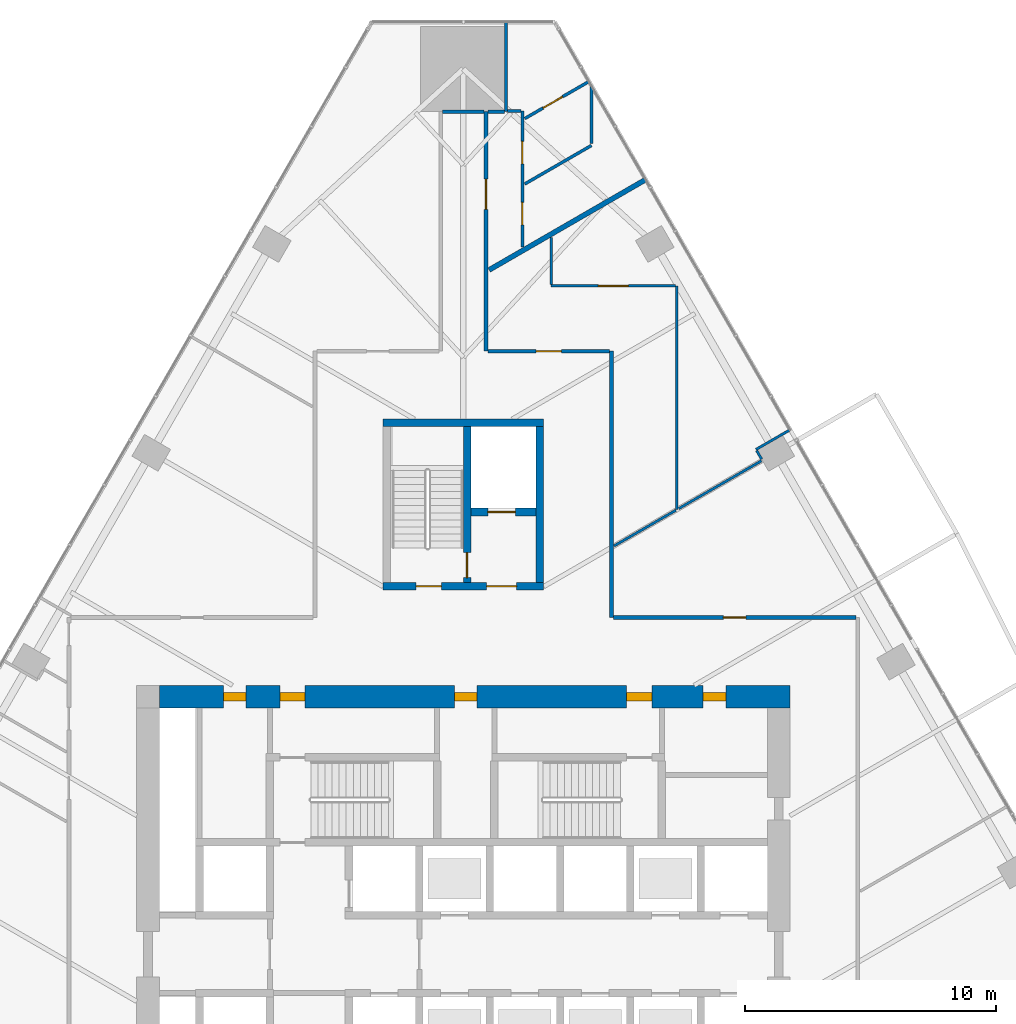
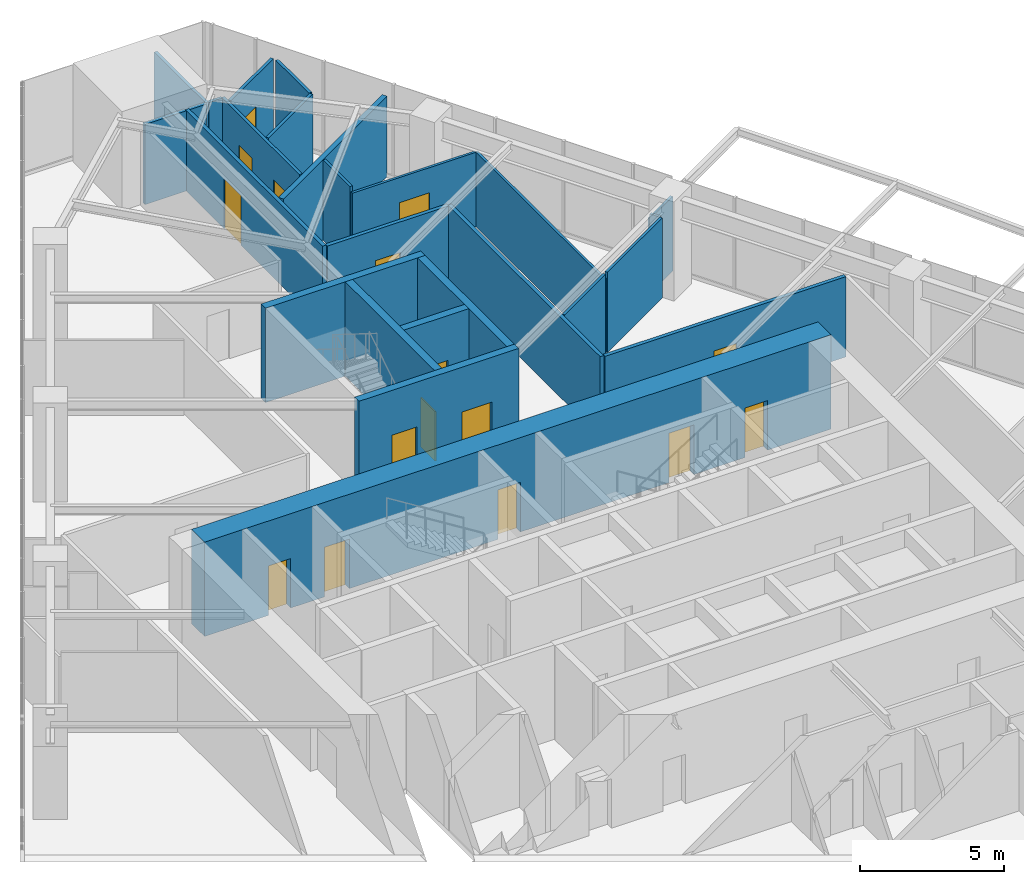
# One storey, part 26 of 29: 26 walls, 16 doors, 16 openings.
"""IFC4 building model written with IfcOpenShell, lengths in metres."""

from ifc_helpers import new_model, si_unit, direction, frame, frame_2d, origin, place, context, subcontext, project, spatial, rectangle, extrude, material, layer, layer_set, type_object, element, fill, save


model = new_model("IFC4")

# Units and contexts
model_context = context("Model", 3, precision=1e-05, world=origin(), true_north=direction((0.0, 1.0)))
body_context = subcontext(model_context, "Body", "Model", "MODEL_VIEW")
ifc_project = project(units=[si_unit("LENGTHUNIT", "METRE"), si_unit("AREAUNIT", "SQUARE_METRE"), si_unit("VOLUMEUNIT", "CUBIC_METRE"), si_unit("PLANEANGLEUNIT", "RADIAN"), si_unit("MASSUNIT", "GRAM", prefix="KILO")], contexts=[model_context])

# Site, building, storey
site_placement = place(None, origin())
site = spatial("IfcSite", under=ifc_project, at=site_placement, CompositionType="ELEMENT")
building_placement = place(site_placement, origin())
building = spatial("IfcBuilding", under=site, at=building_placement, Name="Firuza Gate Tower and Library", CompositionType="ELEMENT")
storey_placement = place(building_placement, frame((0.0, 0.0, 44.199951171875)))
storey = spatial("IfcBuildingStorey", under=building, at=storey_placement, Name="L09", CompositionType="ELEMENT", Elevation=44.199951171875)

# Wall, openings, doors
ifc_material_1 = material(Name="Concrete C80/95", Category="concrete")
ifc_layer_1 = layer(ifc_material_1, 0.300048828125)
ifc_layer_set_1 = layer_set([ifc_layer_1], Name="Core wall 300 C80/95")
wall_type_1 = type_object("IfcWallType", Name="Core wall 300 C80/95", PredefinedType="SHEAR", material=ifc_layer_set_1)
wall_1_placement = place(storey_placement, frame((71.800048828125, 87.949951171875, 0.0), z_axis=(0.0, 0.0, 1.0), x_axis=(1.0, 0.0, 0.0)))
wall_1 = element("IfcWall", 1, at=wall_1_placement, inside=storey, type_object=wall_type_1, Name="Core wall L09 34", PredefinedType="SHEAR", context=body_context, shape_type="SweptSolid", body=[
    extrude(rectangle(XDim=6.39990234375, YDim=0.300048828125, at=frame_2d((3.199951171875, 0.0))), origin(), (0.0, 0.0, 1.0), 4.0),
])
opening_1_placement = place(wall_1_placement, frame((1.324951171875, 0.0, 0.0)))
opening_1 = element("IfcOpeningElement", 2, at=opening_1_placement, cuts=wall_1, Name="Opening L09-K17", PredefinedType="OPENING", context=body_context, shape_type="SweptSolid", body=[
    extrude(rectangle(XDim=1.0, YDim=2.10009765625, at=frame_2d((0.5, 1.050048828125))), frame((0.0, 0.16015625, 0.0), z_axis=(0.0, -1.0, 0.0), x_axis=(1.0, 0.0, 0.0)), (0.0, 0.0, 1.0), 0.320068359375),
])
opening_2_placement = place(wall_1_placement, frame((4.125, 0.0, 0.0)))
opening_2 = element("IfcOpeningElement", 3, at=opening_2_placement, cuts=wall_1, Name="Opening L09-K19", PredefinedType="OPENING", context=body_context, shape_type="SweptSolid", body=[
    extrude(rectangle(XDim=1.199951171875, YDim=2.10009765625, at=frame_2d((0.60009765625, 1.050048828125))), frame((0.0, 0.16015625, 0.0), z_axis=(0.0, -1.0, 0.0), x_axis=(1.0, 0.0, 0.0)), (0.0, 0.0, 1.0), 0.320068359375),
])
ifc_material_2 = material(Name="Steel", Category="steel")
door_type_1 = type_object("IfcDoorType", Name="Fire door 1000x2100 FD90", OperationType="NOTDEFINED", PredefinedType="DOOR", material=ifc_material_2)
door_1_placement = place(opening_1_placement, origin())
door_1 = element("IfcDoor", 4, at=door_1_placement, inside=storey, type_object=door_type_1, Name="Door L09-K17", OperationType="SINGLE_SWING_RIGHT", OverallHeight=2.10009765625, OverallWidth=1.0, PredefinedType="DOOR", context=body_context, shape_type="SweptSolid", body=[
    extrude(rectangle(XDim=1.0, YDim=2.10009765625, at=frame_2d((0.5, 1.050048828125))), frame((0.0, 0.02490234375, 0.0), z_axis=(0.0, -1.0, 0.0), x_axis=(1.0, 0.0, 0.0)), (0.0, 0.0, 1.0), 0.050048828125),
])
fill(opening_1, door_1)
ifc_material_3 = material(Name="Steel", Category="steel")
door_type_2 = type_object("IfcDoorType", Name="Fire door 1200x2100 FD30S", OperationType="NOTDEFINED", PredefinedType="DOOR", material=ifc_material_3)
door_2_placement = place(opening_2_placement, origin())
door_2 = element("IfcDoor", 5, at=door_2_placement, inside=storey, type_object=door_type_2, Name="Door L09-K19", OperationType="SINGLE_SWING_RIGHT", OverallHeight=2.10009765625, OverallWidth=1.199951171875, PredefinedType="DOOR", context=body_context, shape_type="SweptSolid", body=[
    extrude(rectangle(XDim=1.199951171875, YDim=2.10009765625, at=frame_2d((0.60009765625, 1.050048828125))), frame((0.0, 0.02490234375, 0.0), z_axis=(0.0, -1.0, 0.0), x_axis=(1.0, 0.0, 0.0)), (0.0, 0.0, 1.0), 0.050048828125),
])
fill(opening_2, door_2)

# Walls
wall_2_placement = place(storey_placement, frame((71.800048828125, 94.449951171875, 0.0), z_axis=(0.0, 0.0, 1.0), x_axis=(1.0, 0.0, 0.0)))
element("IfcWall", 6, at=wall_2_placement, inside=storey, type_object=wall_type_1, Name="Core wall L09 35", PredefinedType="SHEAR", context=body_context, shape_type="SweptSolid", body=[
    extrude(rectangle(XDim=6.39990234375, YDim=0.300048828125, at=frame_2d((3.199951171875, 0.0))), origin(), (0.0, 0.0, 1.0), 4.0),
])
wall_3_placement = place(storey_placement, frame((78.050048828125, 88.10009765625, 0.0), z_axis=(0.0, 0.0, 1.0), x_axis=(0.0, 1.0, 0.0)))
element("IfcWall", 7, at=wall_3_placement, inside=storey, type_object=wall_type_1, Name="Core wall L09 37", PredefinedType="SHEAR", context=body_context, shape_type="SweptSolid", body=[
    extrude(rectangle(XDim=6.199951171875, YDim=0.300048828125, at=frame_2d((3.10009765625, 0.0))), origin(), (0.0, 0.0, 1.0), 4.0),
])

# Wall, opening, door
wall_4_placement = place(storey_placement, frame((75.300048828125, 90.89990234375, 0.0), z_axis=(0.0, 0.0, 1.0), x_axis=(1.0, 0.0, 0.0)))
wall_4 = element("IfcWall", 8, at=wall_4_placement, inside=storey, type_object=wall_type_1, Name="Core wall L09 38", PredefinedType="SHEAR", context=body_context, shape_type="SweptSolid", body=[
    extrude(rectangle(XDim=2.599853515625, YDim=0.300048828125, at=frame_2d((1.2998046875, 0.0))), origin(), (0.0, 0.0, 1.0), 4.0),
])
opening_3_placement = place(wall_4_placement, frame((0.675048828125, 0.0, 0.0)))
opening_3 = element("IfcOpeningElement", 9, at=opening_3_placement, cuts=wall_4, Name="Opening LD-SV1-L09", PredefinedType="OPENING", context=body_context, shape_type="SweptSolid", body=[
    extrude(rectangle(XDim=1.10009765625, YDim=2.10009765625, at=frame_2d((0.550048828125, 1.050048828125))), frame((0.0, 0.16015625, 0.0), z_axis=(0.0, -1.0, 0.0), x_axis=(1.0, 0.0, 0.0)), (0.0, 0.0, 1.0), 0.320068359375),
])
ifc_material_4 = material(Name="Stainless steel", Category="steel")
door_type_3 = type_object("IfcDoorType", Name="Lift landing door 1100x2100", OperationType="DOUBLE_DOOR_SLIDING", PredefinedType="DOOR", material=ifc_material_4)
door_3_placement = place(opening_3_placement, origin())
door_3 = element("IfcDoor", 10, at=door_3_placement, inside=storey, type_object=door_type_3, Name="Landing door SV1 L09", OperationType="DOUBLE_DOOR_SLIDING", OverallHeight=2.10009765625, OverallWidth=1.10009765625, PredefinedType="DOOR", context=body_context, shape_type="SweptSolid", body=[
    extrude(rectangle(XDim=1.10009765625, YDim=2.10009765625, at=frame_2d((0.550048828125, 1.050048828125))), frame((0.0, 0.02490234375, 0.0), z_axis=(0.0, -1.0, 0.0), x_axis=(1.0, 0.0, 0.0)), (0.0, 0.0, 1.0), 0.050048828125),
])
fill(opening_3, door_3)

wall_5_placement = place(storey_placement, frame((75.14990234375, 88.10009765625, 0.0), z_axis=(0.0, 0.0, 1.0), x_axis=(0.0, 1.0, 0.0)))
wall_5 = element("IfcWall", 11, at=wall_5_placement, inside=storey, type_object=wall_type_1, Name="Core wall L09 39", PredefinedType="SHEAR", context=body_context, shape_type="SweptSolid", body=[
    extrude(rectangle(XDim=6.199951171875, YDim=0.300048828125, at=frame_2d((3.10009765625, 0.0))), origin(), (0.0, 0.0, 1.0), 4.0),
])
opening_4_placement = place(wall_5_placement, frame((0.18505859375, 0.0, 0.0)))
opening_4 = element("IfcOpeningElement", 12, at=opening_4_placement, cuts=wall_5, Name="Opening L09-K18", PredefinedType="OPENING", context=body_context, shape_type="SweptSolid", body=[
    extrude(rectangle(XDim=1.0, YDim=2.10009765625, at=frame_2d((0.5, 1.050048828125))), frame((0.0, 0.16015625, 0.0), z_axis=(0.0, -1.0, 0.0), x_axis=(1.0, 0.0, 0.0)), (0.0, 0.0, 1.0), 0.320068359375),
])
door_4_placement = place(opening_4_placement, origin())
door_4 = element("IfcDoor", 13, at=door_4_placement, inside=storey, type_object=door_type_1, Name="Door L09-K18", OperationType="SINGLE_SWING_LEFT", OverallHeight=2.10009765625, OverallWidth=1.0, PredefinedType="DOOR", context=body_context, shape_type="SweptSolid", body=[
    extrude(rectangle(XDim=1.0, YDim=2.10009765625, at=frame_2d((0.5, 1.050048828125))), frame((0.0, 0.02490234375, 0.0), z_axis=(0.0, -1.0, 0.0), x_axis=(1.0, 0.0, 0.0)), (0.0, 0.0, 1.0), 0.050048828125),
])
fill(opening_4, door_4)

# Wall, openings, doors
ifc_material_5 = material(Name="Concrete C80/95", Category="concrete")
ifc_layer_2 = layer(ifc_material_5, 0.89990234375)
ifc_layer_set_2 = layer_set([ifc_layer_2], Name="Core wall 900 C80/95")
wall_type_2 = type_object("IfcWallType", Name="Core wall 900 C80/95", PredefinedType="SHEAR", material=ifc_layer_set_2)
wall_6_placement = place(storey_placement, frame((62.89990234375, 83.550048828125, 0.0), z_axis=(0.0, 0.0, 1.0), x_axis=(1.0, 0.0, 0.0)))
wall_6 = element("IfcWall", 14, at=wall_6_placement, inside=storey, type_object=wall_type_2, Name="Core wall L09 2", PredefinedType="SHEAR", context=body_context, shape_type="SweptSolid", body=[
    extrude(rectangle(XDim=25.10009765625, YDim=0.89990234375, at=frame_2d((12.550048828125, 0.0))), origin(), (0.0, 0.0, 1.0), 4.0),
])
opening_5_placement = place(wall_6_placement, frame((4.794921875, 0.0, 0.0)))
opening_5 = element("IfcOpeningElement", 15, at=opening_5_placement, cuts=wall_6, Name="Opening L09-K14", PredefinedType="OPENING", context=body_context, shape_type="SweptSolid", body=[
    extrude(rectangle(XDim=1.0, YDim=2.10009765625, at=frame_2d((0.5, 1.050048828125))), frame((0.0, 0.4599609375, 0.0), z_axis=(0.0, -1.0, 0.0), x_axis=(1.0, 0.0, 0.0)), (0.0, 0.0, 1.0), 0.919921875),
])
opening_6_placement = place(wall_6_placement, frame((18.60498046875, 0.0, 0.0)))
opening_6 = element("IfcOpeningElement", 16, at=opening_6_placement, cuts=wall_6, Name="Opening L09-K16", PredefinedType="OPENING", context=body_context, shape_type="SweptSolid", body=[
    extrude(rectangle(XDim=1.0, YDim=2.10009765625, at=frame_2d((0.5, 1.050048828125))), frame((0.0, 0.4599609375, 0.0), z_axis=(0.0, -1.0, 0.0), x_axis=(1.0, 0.0, 0.0)), (0.0, 0.0, 1.0), 0.919921875),
])
opening_7_placement = place(wall_6_placement, frame((2.550048828125, 0.0, 0.0)))
opening_7 = element("IfcOpeningElement", 17, at=opening_7_placement, cuts=wall_6, Name="Opening L09-K29", PredefinedType="OPENING", context=body_context, shape_type="SweptSolid", body=[
    extrude(rectangle(XDim=0.89990234375, YDim=2.10009765625, at=frame_2d((0.449951171875, 1.050048828125))), frame((0.0, 0.4599609375, 0.0), z_axis=(0.0, -1.0, 0.0), x_axis=(1.0, 0.0, 0.0)), (0.0, 0.0, 1.0), 0.919921875),
])
opening_8_placement = place(wall_6_placement, frame((11.75, 0.0, 0.0)))
opening_8 = element("IfcOpeningElement", 18, at=opening_8_placement, cuts=wall_6, Name="Opening L09-K30", PredefinedType="OPENING", context=body_context, shape_type="SweptSolid", body=[
    extrude(rectangle(XDim=0.89990234375, YDim=2.10009765625, at=frame_2d((0.449951171875, 1.050048828125))), frame((0.0, 0.4599609375, 0.0), z_axis=(0.0, -1.0, 0.0), x_axis=(1.0, 0.0, 0.0)), (0.0, 0.0, 1.0), 0.919921875),
])
opening_9_placement = place(wall_6_placement, frame((21.64990234375, 0.0, 0.0)))
opening_9 = element("IfcOpeningElement", 19, at=opening_9_placement, cuts=wall_6, Name="Opening L09-K32", PredefinedType="OPENING", context=body_context, shape_type="SweptSolid", body=[
    extrude(rectangle(XDim=0.89990234375, YDim=2.10009765625, at=frame_2d((0.449951171875, 1.050048828125))), frame((0.0, 0.4599609375, 0.0), z_axis=(0.0, -1.0, 0.0), x_axis=(1.0, 0.0, 0.0)), (0.0, 0.0, 1.0), 0.919921875),
])
door_5_placement = place(opening_5_placement, origin())
door_5 = element("IfcDoor", 20, at=door_5_placement, inside=storey, type_object=door_type_1, Name="Door L09-K14", OperationType="SINGLE_SWING_LEFT", OverallHeight=2.10009765625, OverallWidth=1.0, PredefinedType="DOOR", context=body_context, shape_type="SweptSolid", body=[
    extrude(rectangle(XDim=1.0, YDim=2.10009765625, at=frame_2d((0.5, 1.050048828125))), frame((0.0, 0.169921875, 0.0), z_axis=(0.0, -1.0, 0.0), x_axis=(1.0, 0.0, 0.0)), (0.0, 0.0, 1.0), 0.33984375),
])
fill(opening_5, door_5)
door_6_placement = place(opening_6_placement, origin())
door_6 = element("IfcDoor", 21, at=door_6_placement, inside=storey, type_object=door_type_1, Name="Door L09-K16", OperationType="SINGLE_SWING_LEFT", OverallHeight=2.10009765625, OverallWidth=1.0, PredefinedType="DOOR", context=body_context, shape_type="SweptSolid", body=[
    extrude(rectangle(XDim=1.0, YDim=2.10009765625, at=frame_2d((0.5, 1.050048828125))), frame((0.0, 0.169921875, 0.0), z_axis=(0.0, -1.0, 0.0), x_axis=(1.0, 0.0, 0.0)), (0.0, 0.0, 1.0), 0.33984375),
])
fill(opening_6, door_6)
ifc_material_6 = material(Name="Steel", Category="steel")
door_type_4 = type_object("IfcDoorType", Name="Fire door 900x2100 FD30S", OperationType="NOTDEFINED", PredefinedType="DOOR", material=ifc_material_6)
door_7_placement = place(opening_7_placement, origin())
door_7 = element("IfcDoor", 22, at=door_7_placement, inside=storey, type_object=door_type_4, Name="Door L09-K29", OperationType="SINGLE_SWING_RIGHT", OverallHeight=2.10009765625, OverallWidth=0.89990234375, PredefinedType="DOOR", context=body_context, shape_type="SweptSolid", body=[
    extrude(rectangle(XDim=0.89990234375, YDim=2.10009765625, at=frame_2d((0.449951171875, 1.050048828125))), frame((0.0, 0.169921875, 0.0), z_axis=(0.0, -1.0, 0.0), x_axis=(1.0, 0.0, 0.0)), (0.0, 0.0, 1.0), 0.33984375),
])
fill(opening_7, door_7)
door_8_placement = place(opening_8_placement, origin())
door_8 = element("IfcDoor", 23, at=door_8_placement, inside=storey, type_object=door_type_4, Name="Door L09-K30", OperationType="SINGLE_SWING_LEFT", OverallHeight=2.10009765625, OverallWidth=0.89990234375, PredefinedType="DOOR", context=body_context, shape_type="SweptSolid", body=[
    extrude(rectangle(XDim=0.89990234375, YDim=2.10009765625, at=frame_2d((0.449951171875, 1.050048828125))), frame((0.0, 0.169921875, 0.0), z_axis=(0.0, -1.0, 0.0), x_axis=(1.0, 0.0, 0.0)), (0.0, 0.0, 1.0), 0.33984375),
])
fill(opening_8, door_8)
door_9_placement = place(opening_9_placement, origin())
door_9 = element("IfcDoor", 24, at=door_9_placement, inside=storey, type_object=door_type_4, Name="Door L09-K32", OperationType="SINGLE_SWING_LEFT", OverallHeight=2.10009765625, OverallWidth=0.89990234375, PredefinedType="DOOR", context=body_context, shape_type="SweptSolid", body=[
    extrude(rectangle(XDim=0.89990234375, YDim=2.10009765625, at=frame_2d((0.449951171875, 1.050048828125))), frame((0.0, 0.169921875, 0.0), z_axis=(0.0, -1.0, 0.0), x_axis=(1.0, 0.0, 0.0)), (0.0, 0.0, 1.0), 0.33984375),
])
fill(opening_9, door_9)

# Wall, opening, door
ifc_material_7 = material(Name="Gypsum board partition")
ifc_layer_3 = layer(ifc_material_7, 0.14990234375)
ifc_layer_set_3 = layer_set([ifc_layer_3], Name="Corridor wall 150 double board on steel studs")
wall_type_3 = type_object("IfcWallType", Name="Corridor wall 150 double board on steel studs", PredefinedType="PARTITIONING", material=ifc_layer_set_3)
wall_7_placement = place(storey_placement, frame((90.62451171875, 86.699951171875, 0.0), z_axis=(0.0, 0.0, 1.0), x_axis=(-1.0, 0.0, 0.0)))
wall_7 = element("IfcWall", 25, at=wall_7_placement, inside=storey, type_object=wall_type_3, Name="f:L09:w008", PredefinedType="PARTITIONING", context=body_context, shape_type="SweptSolid", body=[
    extrude(rectangle(XDim=9.6494140625, YDim=0.14990234375, at=frame_2d((4.82470703125, 0.0))), origin(), (0.0, 0.0, 1.0), 3.400146484375),
])
opening_10_placement = place(wall_7_placement, frame((4.374755859375, 0.0, 0.0)))
opening_10 = element("IfcOpeningElement", 26, at=opening_10_placement, cuts=wall_7, Name="Opening L09-12", PredefinedType="OPENING", context=body_context, shape_type="SweptSolid", body=[
    extrude(rectangle(XDim=0.89990234375, YDim=2.10009765625, at=frame_2d((0.449951171875, 1.050048828125))), frame((0.0, 0.0849609375, 0.0), z_axis=(0.0, -1.0, 0.0), x_axis=(1.0, 0.0, 0.0)), (0.0, 0.0, 1.0), 0.169921875),
])
ifc_material_8 = material(Name="Steel door and timber leaf", Category="steel")
door_type_5 = type_object("IfcDoorType", Name="Fire door 900 x 2100 steel frame, timber leaf", OperationType="NOTDEFINED", PredefinedType="DOOR", material=ifc_material_8)
door_10_placement = place(opening_10_placement, origin())
door_10 = element("IfcDoor", 27, at=door_10_placement, inside=storey, type_object=door_type_5, Name="f:L09:d012", OperationType="SINGLE_SWING_LEFT", OverallHeight=2.10009765625, OverallWidth=0.89990234375, PredefinedType="DOOR", context=body_context, shape_type="SweptSolid", body=[
    extrude(rectangle(XDim=0.89990234375, YDim=2.10009765625, at=frame_2d((0.449951171875, 1.050048828125))), frame((0.0, 0.02490234375, 0.0), z_axis=(0.0, -1.0, 0.0), x_axis=(1.0, 0.0, 0.0)), (0.0, 0.0, 1.0), 0.050048828125),
])
fill(opening_10, door_10)

wall_8_placement = place(storey_placement, frame((80.824951171875, 97.300048828125, 0.0), z_axis=(0.0, 0.0, 1.0), x_axis=(-1.0, 0.0, 0.0)))
wall_8 = element("IfcWall", 28, at=wall_8_placement, inside=storey, type_object=wall_type_3, Name="f:L09:w010", PredefinedType="PARTITIONING", context=body_context, shape_type="SweptSolid", body=[
    extrude(rectangle(XDim=4.849853515625, YDim=0.14990234375, at=frame_2d((2.4248046875, 0.0))), origin(), (0.0, 0.0, 1.0), 3.400146484375),
])
opening_11_placement = place(wall_8_placement, frame((1.925048828125, 0.0, 0.0)))
opening_11 = element("IfcOpeningElement", 29, at=opening_11_placement, cuts=wall_8, Name="Opening L09-14", PredefinedType="OPENING", context=body_context, shape_type="SweptSolid", body=[
    extrude(rectangle(XDim=1.0, YDim=2.10009765625, at=frame_2d((0.5, 1.050048828125))), frame((0.0, 0.0849609375, 0.0), z_axis=(0.0, -1.0, 0.0), x_axis=(1.0, 0.0, 0.0)), (0.0, 0.0, 1.0), 0.169921875),
])
ifc_material_9 = material(Name="Steel door and timber leaf", Category="steel")
door_type_6 = type_object("IfcDoorType", Name="Fire door 1000 x 2100 steel frame, timber leaf", OperationType="NOTDEFINED", PredefinedType="DOOR", material=ifc_material_9)
door_11_placement = place(opening_11_placement, origin())
door_11 = element("IfcDoor", 30, at=door_11_placement, inside=storey, type_object=door_type_6, Name="f:L09:d014", OperationType="SINGLE_SWING_LEFT", OverallHeight=2.10009765625, OverallWidth=1.0, PredefinedType="DOOR", context=body_context, shape_type="SweptSolid", body=[
    extrude(rectangle(XDim=1.0, YDim=2.10009765625, at=frame_2d((0.5, 1.050048828125))), frame((0.0, 0.02490234375, 0.0), z_axis=(0.0, -1.0, 0.0), x_axis=(1.0, 0.0, 0.0)), (0.0, 0.0, 1.0), 0.050048828125),
])
fill(opening_11, door_11)

# Walls
wall_9_placement = place(storey_placement, frame((74.175537109375, 106.833984375, 0.0), z_axis=(0.0, 0.0, 1.0), x_axis=(1.0, 0.0, 0.0)))
element("IfcWall", 31, at=wall_9_placement, inside=storey, type_object=wall_type_3, Name="f:L09:w012", PredefinedType="PARTITIONING", context=body_context, shape_type="SweptSolid", body=[
    extrude(rectangle(XDim=1.6494140625, YDim=0.14990234375, at=frame_2d((0.82470703125, 0.0))), origin(), (0.0, 0.0, 1.0), 3.39697265625),
])
wall_10_placement = place(storey_placement, frame((80.89990234375, 86.699951171875, 0.0), z_axis=(0.0, 0.0, 1.0), x_axis=(0.0, 1.0, 0.0)))
element("IfcWall", 32, at=wall_10_placement, inside=storey, type_object=wall_type_3, Name="f:L09:w034", PredefinedType="PARTITIONING", context=body_context, shape_type="SweptSolid", body=[
    extrude(rectangle(XDim=10.60009765625, YDim=0.14990234375, at=frame_2d((5.300048828125, 0.0))), origin(), (0.0, 0.0, 1.0), 3.400146484375),
])

# Wall, opening, door
wall_11_placement = place(storey_placement, frame((75.89990234375, 106.833740234375, 0.0), z_axis=(0.0, 0.0, 1.0), x_axis=(0.0, -1.0, 0.0)))
wall_11 = element("IfcWall", 33, at=wall_11_placement, inside=storey, type_object=wall_type_3, Name="f:L09:w041", PredefinedType="PARTITIONING", context=body_context, shape_type="SweptSolid", body=[
    extrude(rectangle(XDim=9.53369140625, YDim=0.14990234375, at=frame_2d((4.766845703125, 0.0))), origin(), (0.0, 0.0, 1.0), 3.400146484375),
])
opening_12_placement = place(wall_11_placement, frame((2.687744140625, 0.0, 0.0)))
opening_12 = element("IfcOpeningElement", 34, at=opening_12_placement, cuts=wall_11, Name="Opening L09-24", PredefinedType="OPENING", context=body_context, shape_type="SweptSolid", body=[
    extrude(rectangle(XDim=1.199951171875, YDim=2.10009765625, at=frame_2d((0.60009765625, 1.050048828125))), frame((0.0, 0.0849609375, 0.0), z_axis=(0.0, -1.0, 0.0), x_axis=(1.0, 0.0, 0.0)), (0.0, 0.0, 1.0), 0.169921875),
])
ifc_material_10 = material(Name="Steel door and timber leaf", Category="steel")
door_type_7 = type_object("IfcDoorType", Name="Fire door 1200 x 2100 steel frame, double leaf", OperationType="NOTDEFINED", PredefinedType="DOOR", material=ifc_material_10)
door_12_placement = place(opening_12_placement, origin())
door_12 = element("IfcDoor", 35, at=door_12_placement, inside=storey, type_object=door_type_7, Name="f:L09:d024", OperationType="DOUBLE_DOOR_SINGLE_SWING", OverallHeight=2.10009765625, OverallWidth=1.199951171875, PredefinedType="DOOR", context=body_context, shape_type="SweptSolid", body=[
    extrude(rectangle(XDim=1.199951171875, YDim=2.10009765625, at=frame_2d((0.60009765625, 1.050048828125))), frame((0.0, 0.02490234375, 0.0), z_axis=(0.0, -1.0, 0.0), x_axis=(1.0, 0.0, 0.0)), (0.0, 0.0, 1.0), 0.050048828125),
])
fill(opening_12, door_12)

# Walls
wall_12_placement = place(storey_placement, frame((75.97509765625, 106.833984375, 0.0), z_axis=(0.0, 0.0, 1.0), x_axis=(1.0, 0.0, 0.0)))
element("IfcWall", 36, at=wall_12_placement, inside=storey, type_object=wall_type_3, Name="f:L09:w068", PredefinedType="PARTITIONING", context=body_context, shape_type="SweptSolid", body=[
    extrude(rectangle(XDim=0.664306640625, YDim=0.14990234375, at=frame_2d((0.33203125, 0.0))), origin(), (0.0, 0.0, 1.0), 3.400146484375),
])
ifc_material_11 = material(Name="Gypsum board partition")
ifc_layer_4 = layer(ifc_material_11, 0.199951171875)
ifc_layer_set_4 = layer_set([ifc_layer_4], Name="Demising wall 200 acoustic double stud")
wall_type_4 = type_object("IfcWallType", Name="Demising wall 200 acoustic double stud", PredefinedType="PARTITIONING", material=ifc_layer_set_4)
wall_13_placement = place(storey_placement, frame((76.02685546875, 100.534423828125, 0.0), z_axis=(0.0, 0.0, 1.0), x_axis=(0.866029480033, 0.499992939664, 0.0)))
element("IfcWall", 37, at=wall_13_placement, inside=storey, type_object=wall_type_4, Name="f:L09:w023", PredefinedType="PARTITIONING", context=body_context, shape_type="SweptSolid", body=[
    extrude(rectangle(XDim=7.18798828125, YDim=0.199951171875, at=frame_2d((3.593994140625, 0.0))), origin(), (0.0, 0.0, 1.0), 3.400146484375),
])

# Wall, opening, door
ifc_material_12 = material(Name="Gypsum board partition")
ifc_layer_5 = layer(ifc_material_12, 0.10009765625)
ifc_layer_set_5 = layer_set([ifc_layer_5], Name="Partition 100 gypsum board on steel studs")
wall_type_5 = type_object("IfcWallType", Name="Partition 100 gypsum board on steel studs", PredefinedType="PARTITIONING", material=ifc_layer_set_5)
wall_14_placement = place(storey_placement, frame((83.449951171875, 99.89990234375, 0.0), z_axis=(0.0, 0.0, 1.0), x_axis=(-1.0, 0.0, 0.0)))
wall_14 = element("IfcWall", 38, at=wall_14_placement, inside=storey, type_object=wall_type_5, Name="f:L09:w011", PredefinedType="PARTITIONING", context=body_context, shape_type="SweptSolid", body=[
    extrude(rectangle(XDim=4.949951171875, YDim=0.10009765625, at=frame_2d((2.47509765625, 0.0))), origin(), (0.0, 0.0, 1.0), 3.1650390625),
])
opening_13_placement = place(wall_14_placement, frame((1.875, 0.0, 0.0)))
opening_13 = element("IfcOpeningElement", 39, at=opening_13_placement, cuts=wall_14, Name="Opening L09-15", PredefinedType="OPENING", context=body_context, shape_type="SweptSolid", body=[
    extrude(rectangle(XDim=1.199951171875, YDim=2.10009765625, at=frame_2d((0.60009765625, 1.050048828125))), frame((0.0, 0.06005859375, 0.0), z_axis=(0.0, -1.0, 0.0), x_axis=(1.0, 0.0, 0.0)), (0.0, 0.0, 1.0), 0.1201171875),
])
ifc_material_13 = material(Name="Glazed aluminium door", Category="aluminium")
door_type_8 = type_object("IfcDoorType", Name="Door 1200 x 2100 glazed double leaf", OperationType="NOTDEFINED", PredefinedType="DOOR", material=ifc_material_13)
door_13_placement = place(opening_13_placement, origin())
door_13 = element("IfcDoor", 40, at=door_13_placement, inside=storey, type_object=door_type_8, Name="f:L09:d015", OperationType="DOUBLE_DOOR_SINGLE_SWING", OverallHeight=2.10009765625, OverallWidth=1.199951171875, PredefinedType="DOOR", context=body_context, shape_type="SweptSolid", body=[
    extrude(rectangle(XDim=1.199951171875, YDim=2.10009765625, at=frame_2d((0.60009765625, 1.050048828125))), frame((0.0, 0.02490234375, 0.0), z_axis=(0.0, -1.0, 0.0), x_axis=(1.0, 0.0, 0.0)), (0.0, 0.0, 1.0), 0.050048828125),
])
fill(opening_13, door_13)

# Walls
wall_15_placement = place(storey_placement, frame((81.0009765625, 89.5498046875, 0.0), z_axis=(0.0, 0.0, 1.0), x_axis=(0.866019653938, 0.500009958894, 0.0)))
element("IfcWall", 41, at=wall_15_placement, inside=storey, type_object=wall_type_5, Name="f:L09:w021", PredefinedType="PARTITIONING", context=body_context, shape_type="SweptSolid", body=[
    extrude(rectangle(XDim=2.84228515625, YDim=0.10009765625, at=frame_2d((1.421142578125, 0.0))), origin(), (0.0, 0.0, 1.0), 3.400146484375),
])
wall_16_placement = place(storey_placement, frame((86.6513671875, 93.389404296875, 0.0), z_axis=(0.0, 0.0, 1.0), x_axis=(0.866018739521, 0.500011542666, 0.0)))
element("IfcWall", 42, at=wall_16_placement, inside=storey, type_object=wall_type_5, Name="f:L09:w022", PredefinedType="PARTITIONING", context=body_context, shape_type="SweptSolid", body=[
    extrude(rectangle(XDim=1.5595703125, YDim=0.10009765625, at=frame_2d((0.77978515625, 0.0))), origin(), (0.0, 0.0, 1.0), 3.1650390625),
])
wall_17_placement = place(storey_placement, frame((83.5, 90.99267578125, 0.0), z_axis=(0.0, 0.0, 1.0), x_axis=(0.0, 1.0, 0.0)))
element("IfcWall", 43, at=wall_17_placement, inside=storey, type_object=wall_type_5, Name="f:L09:w032", PredefinedType="PARTITIONING", context=body_context, shape_type="SweptSolid", body=[
    extrude(rectangle(XDim=8.9072265625, YDim=0.10009765625, at=frame_2d((4.45361328125, 0.0))), origin(), (0.0, 0.0, 1.0), 3.1650390625),
])
wall_18_placement = place(storey_placement, frame((78.5, 99.949951171875, 0.0), z_axis=(0.0, 0.0, 1.0), x_axis=(0.0, 1.0, 0.0)))
element("IfcWall", 44, at=wall_18_placement, inside=storey, type_object=wall_type_5, Name="f:L09:w037", PredefinedType="PARTITIONING", context=body_context, shape_type="SweptSolid", body=[
    extrude(rectangle(XDim=1.866943359375, YDim=0.10009765625, at=frame_2d((0.93359375, 0.0))), origin(), (0.0, 0.0, 1.0), 3.400146484375),
])
wall_19_placement = place(storey_placement, frame((86.87646484375, 92.999755859375, 0.0), z_axis=(0.0, 0.0, 1.0), x_axis=(-0.500409926597, 0.865788603161, 0.0)))
element("IfcWall", 45, at=wall_19_placement, inside=storey, type_object=wall_type_5, Name="f:L09:w052", PredefinedType="PARTITIONING", context=body_context, shape_type="SweptSolid", body=[
    extrude(rectangle(XDim=0.399658203125, YDim=0.10009765625, at=frame_2d((0.19970703125, 0.0))), origin(), (0.0, 0.0, 1.0), 3.400146484375),
])
wall_20_placement = place(storey_placement, frame((83.574951171875, 91.0361328125, 0.0), z_axis=(0.0, 0.0, 1.0), x_axis=(0.866032607753, 0.499987522153, 0.0)))
element("IfcWall", 46, at=wall_20_placement, inside=storey, type_object=wall_type_5, Name="f:L09:w071", PredefinedType="PARTITIONING", context=body_context, shape_type="SweptSolid", body=[
    extrude(rectangle(XDim=3.80029296875, YDim=0.10009765625, at=frame_2d((1.900146484375, 0.0))), origin(), (0.0, 0.0, 1.0), 3.400146484375),
])
ifc_material_14 = material(Name="Gypsum board partition")
ifc_layer_6 = layer(ifc_material_14, 0.1201171875)
ifc_layer_set_6 = layer_set([ifc_layer_6], Name="Wet-area partition 120 moisture-resistant board")
wall_type_6 = type_object("IfcWallType", Name="Wet-area partition 120 moisture-resistant board", PredefinedType="PARTITIONING", material=ifc_layer_set_6)
wall_21_placement = place(storey_placement, frame((76.760009765625, 106.85302734375, 0.0), z_axis=(0.0, 0.0, 1.0), x_axis=(1.0, 0.0, 0.0)))
element("IfcWall", 47, at=wall_21_placement, inside=storey, type_object=wall_type_6, Name="f:L09:w013", PredefinedType="PARTITIONING", context=body_context, shape_type="SweptSolid", body=[
    extrude(rectangle(XDim=0.529541015625, YDim=0.1201171875, at=frame_2d((0.2646484375, 0.0))), origin(), (0.0, 0.0, 1.0), 3.400146484375),
])
wall_22_placement = place(storey_placement, frame((77.44482421875, 103.955810546875, 0.0), z_axis=(0.0, 0.0, 1.0), x_axis=(0.86599994119, 0.500044099915, 0.0)))
element("IfcWall", 48, at=wall_22_placement, inside=storey, type_object=wall_type_6, Name="f:L09:w024", PredefinedType="PARTITIONING", context=body_context, shape_type="SweptSolid", body=[
    extrude(rectangle(XDim=3.066162109375, YDim=0.1201171875, at=frame_2d((1.533203125, 0.0))), origin(), (0.0, 0.0, 1.0), 3.400146484375),
])

# Wall, opening, door
wall_23_placement = place(storey_placement, frame((79.997314453125, 108.033447265625, 0.0), z_axis=(0.0, 0.0, 1.0), x_axis=(-0.866038018385, -0.499978150234, 0.0)))
wall_23 = element("IfcWall", 49, at=wall_23_placement, inside=storey, type_object=wall_type_6, Name="f:L09:w025", PredefinedType="PARTITIONING", context=body_context, shape_type="SweptSolid", body=[
    extrude(rectangle(XDim=2.947998046875, YDim=0.1201171875, at=frame_2d((1.47412109375, 0.0))), origin(), (0.0, 0.0, 1.0), 3.400146484375),
])
opening_14_placement = place(wall_23_placement, frame((1.203857421875, 0.0, 0.0)))
opening_14 = element("IfcOpeningElement", 50, at=opening_14_placement, cuts=wall_23, Name="Opening L09-20", PredefinedType="OPENING", context=body_context, shape_type="SweptSolid", body=[
    extrude(rectangle(XDim=0.89990234375, YDim=2.10009765625, at=frame_2d((0.449951171875, 1.050048828125))), frame((0.0, 0.070068359375, 0.0), z_axis=(0.0, -1.0, 0.0), x_axis=(1.0, 0.0, 0.0)), (0.0, 0.0, 1.0), 0.14013671875),
])
ifc_material_15 = material(Name="Timber door", Category="wood")
door_type_9 = type_object("IfcDoorType", Name="Door 900 x 2100 timber leaf", OperationType="NOTDEFINED", PredefinedType="DOOR", material=ifc_material_15)
door_14_placement = place(opening_14_placement, origin())
door_14 = element("IfcDoor", 51, at=door_14_placement, inside=storey, type_object=door_type_9, Name="f:L09:d020", OperationType="SINGLE_SWING_LEFT", OverallHeight=2.10009765625, OverallWidth=0.89990234375, PredefinedType="DOOR", context=body_context, shape_type="SweptSolid", body=[
    extrude(rectangle(XDim=0.89990234375, YDim=2.10009765625, at=frame_2d((0.449951171875, 1.050048828125))), frame((0.0, 0.02490234375, 0.0), z_axis=(0.0, -1.0, 0.0), x_axis=(1.0, 0.0, 0.0)), (0.0, 0.0, 1.0), 0.050048828125),
])
fill(opening_14, door_14)

# Wall
wall_24_placement = place(storey_placement, frame((80.10009765625, 105.558349609375, 0.0), z_axis=(0.0, 0.0, 1.0), x_axis=(0.0, 1.0, 0.0)))
element("IfcWall", 52, at=wall_24_placement, inside=storey, type_object=wall_type_6, Name="f:L09:w035", PredefinedType="PARTITIONING", context=body_context, shape_type="SweptSolid", body=[
    extrude(rectangle(XDim=2.29736328125, YDim=0.1201171875, at=frame_2d((1.148681640625, 0.0))), origin(), (0.0, 0.0, 1.0), 3.400146484375),
])

# Wall, openings, doors
wall_25_placement = place(storey_placement, frame((77.35009765625, 101.453857421875, 0.0), z_axis=(0.0, 0.0, 1.0), x_axis=(0.0, 1.0, 0.0)))
wall_25 = element("IfcWall", 53, at=wall_25_placement, inside=storey, type_object=wall_type_6, Name="f:L09:w038", PredefinedType="PARTITIONING", context=body_context, shape_type="SweptSolid", body=[
    extrude(rectangle(XDim=5.39892578125, YDim=0.1201171875, at=frame_2d((2.699462890625, 0.0))), origin(), (0.0, 0.0, 1.0), 3.400146484375),
])
opening_15_placement = place(wall_25_placement, frame((0.87548828125, 0.0, 0.0)))
opening_15 = element("IfcOpeningElement", 54, at=opening_15_placement, cuts=wall_25, Name="Opening L09-22", PredefinedType="OPENING", context=body_context, shape_type="SweptSolid", body=[
    extrude(rectangle(XDim=0.89990234375, YDim=2.10009765625, at=frame_2d((0.449951171875, 1.050048828125))), frame((0.0, 0.070068359375, 0.0), z_axis=(0.0, -1.0, 0.0), x_axis=(1.0, 0.0, 0.0)), (0.0, 0.0, 1.0), 0.14013671875),
])
opening_16_placement = place(wall_25_placement, frame((3.29931640625, 0.0, 0.0)))
opening_16 = element("IfcOpeningElement", 55, at=opening_16_placement, cuts=wall_25, Name="Opening L09-23", PredefinedType="OPENING", context=body_context, shape_type="SweptSolid", body=[
    extrude(rectangle(XDim=0.89990234375, YDim=2.10009765625, at=frame_2d((0.449951171875, 1.050048828125))), frame((0.0, 0.070068359375, 0.0), z_axis=(0.0, -1.0, 0.0), x_axis=(1.0, 0.0, 0.0)), (0.0, 0.0, 1.0), 0.14013671875),
])
door_15_placement = place(opening_15_placement, origin())
door_15 = element("IfcDoor", 56, at=door_15_placement, inside=storey, type_object=door_type_9, Name="f:L09:d022", OperationType="SINGLE_SWING_RIGHT", OverallHeight=2.10009765625, OverallWidth=0.89990234375, PredefinedType="DOOR", context=body_context, shape_type="SweptSolid", body=[
    extrude(rectangle(XDim=0.89990234375, YDim=2.10009765625, at=frame_2d((0.449951171875, 1.050048828125))), frame((0.0, 0.02490234375, 0.0), z_axis=(0.0, -1.0, 0.0), x_axis=(1.0, 0.0, 0.0)), (0.0, 0.0, 1.0), 0.050048828125),
])
fill(opening_15, door_15)
door_16_placement = place(opening_16_placement, origin())
door_16 = element("IfcDoor", 57, at=door_16_placement, inside=storey, type_object=door_type_9, Name="f:L09:d023", OperationType="SINGLE_SWING_LEFT", OverallHeight=2.10009765625, OverallWidth=0.89990234375, PredefinedType="DOOR", context=body_context, shape_type="SweptSolid", body=[
    extrude(rectangle(XDim=0.89990234375, YDim=2.10009765625, at=frame_2d((0.449951171875, 1.050048828125))), frame((0.0, 0.02490234375, 0.0), z_axis=(0.0, -1.0, 0.0), x_axis=(1.0, 0.0, 0.0)), (0.0, 0.0, 1.0), 0.050048828125),
])
fill(opening_16, door_16)

# Wall
wall_26_placement = place(storey_placement, frame((76.699951171875, 106.850341796875, 0.0), z_axis=(0.0, 0.0, 1.0), x_axis=(0.0, 1.0, 0.0)))
element("IfcWall", 58, at=wall_26_placement, inside=storey, type_object=wall_type_6, Name="f:L09:w040", PredefinedType="PARTITIONING", context=body_context, shape_type="SweptSolid", body=[
    extrude(rectangle(XDim=3.54345703125, YDim=0.1201171875, at=frame_2d((1.771728515625, 0.0))), origin(), (0.0, 0.0, 1.0), 3.400146484375),
])

save(model, "model.ifc")
